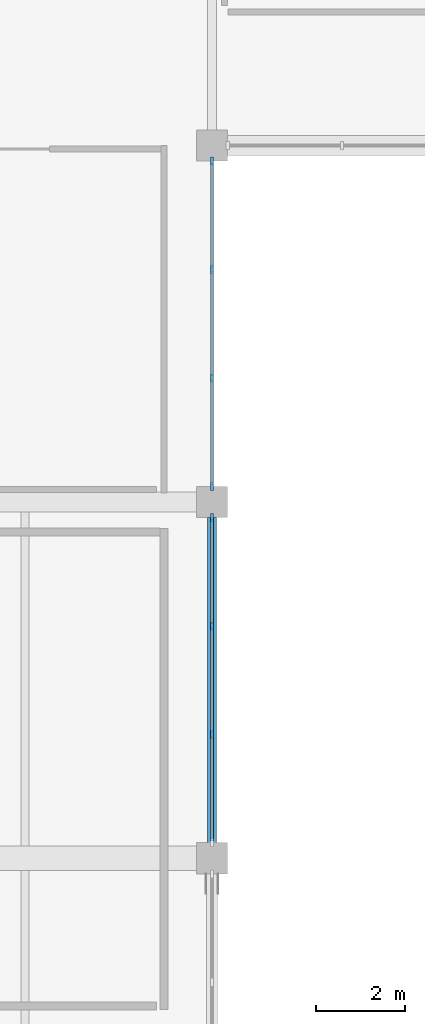
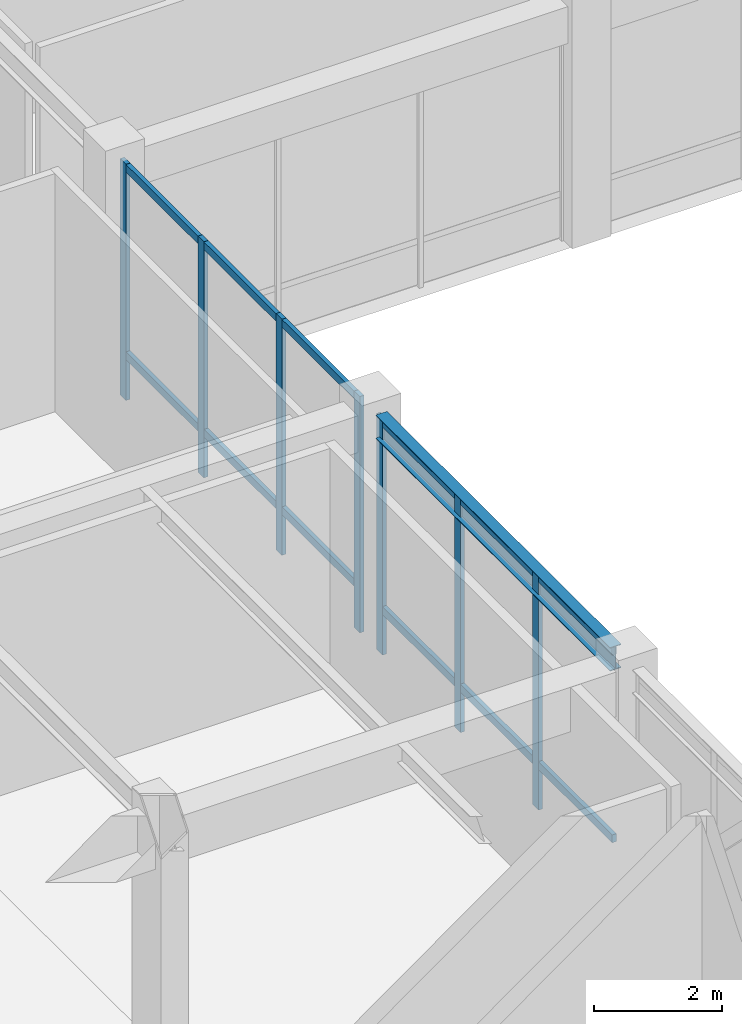
# One storey, part 21 of 76: 19 members, 1 beam, 2 elements without a shape of their own.
"""IFC4 building model written with IfcOpenShell, lengths in metres."""

from ifc_helpers import new_model, si_unit, direction, frame, origin, origin_2d, place, context, subcontext, project, spatial, rectangle, i_section, extrude, material, layer, layer_set, material_profile, profile_set, type_object, element, aggregate, save


model = new_model("IFC4")

# Units and contexts
model_context = context("Model", 3, precision=1e-05, world=origin(), true_north=direction((0.0, 1.0)))
body_context = subcontext(model_context, "Body", "Model", "MODEL_VIEW")
ifc_project = project(units=[si_unit("LENGTHUNIT", "METRE"), si_unit("AREAUNIT", "SQUARE_METRE"), si_unit("VOLUMEUNIT", "CUBIC_METRE"), si_unit("PLANEANGLEUNIT", "RADIAN"), si_unit("MASSUNIT", "GRAM", prefix="KILO")], contexts=[model_context])

# Site, building, storey
site_placement = place(None, origin())
site = spatial("IfcSite", under=ifc_project, at=site_placement, CompositionType="ELEMENT")
building_placement = place(site_placement, origin())
building = spatial("IfcBuilding", under=site, at=building_placement, Name="Naruveol Harbour Congress Hotel", CompositionType="ELEMENT")
storey_placement = place(building_placement, frame((0.0, 0.0, 11.39990234375)))
storey = spatial("IfcBuildingStorey", under=building, at=storey_placement, Name="L02", CompositionType="ELEMENT", Elevation=11.39990234375)

# Beam
ifc_material_1 = material(Name="Steel SN490", Category="steel")
ifc_material_profile_1 = material_profile(ifc_material_1, i_section(OverallWidth=0.199951171875, OverallDepth=0.449951171875, WebThickness=0.009033203125, FlangeThickness=0.013916015625, at=origin_2d()), Name="H-450x200x9x14")
ifc_profile_set_1 = profile_set([ifc_material_profile_1], Name="Steel SN490")
beam_type = type_object("IfcBeamType", Name="STEEL SPANDREL EDGE BEAM H450", PredefinedType="SPANDREL", material=ifc_profile_set_1)
beam_placement = place(storey_placement, frame((67.199951171875, 48.345947265625, 4.315185546875), z_axis=(0.0, 1.0, 0.0), x_axis=(-1.0, 0.0, 0.0)))
element("IfcBeam", 1, at=beam_placement, inside=storey, type_object=beam_type, Name="Transverse girder L03 SPB2", PredefinedType="SPANDREL", context=body_context, shape_type="SweptSolid", body=[
    extrude(i_section(OverallWidth=0.199951171875, OverallDepth=0.449951171875, WebThickness=0.009033203125, FlangeThickness=0.013916015625, at=origin_2d()), origin(), (0.0, 0.0, 1.0), 7.30810546875),
])

# Curtain wall, members
ifc_material_2 = material(Name="Low-E Curtain Wall System", Category="glass")
ifc_layer = layer(ifc_material_2, 0.179931640625)
ifc_layer_set = layer_set([ifc_layer], Name="Low-E Curtain Wall System")
curtain_wall_type = type_object("IfcCurtainWallType", Name="UNITISED CURTAIN WALL CW-CTW-43 7300X4500", PredefinedType="USERDEFINED", material=ifc_layer_set)
curtain_wall_1_placement = place(storey_placement, origin())
curtain_wall_1 = element("IfcCurtainWall", 2, at=curtain_wall_1_placement, inside=storey, type_object=curtain_wall_type, Name="Unitised curtain wall CW-CTW-43 L02", ObjectType="UNITISED GLAZING", PredefinedType="USERDEFINED")
ifc_material_3 = material(Name="Anodised Aluminium 6063-T6", Category="aluminium")
ifc_material_profile_2 = material_profile(ifc_material_3, rectangle(XDim=0.074951171875, YDim=0.179931640625, at=origin_2d()), Name="ALU-75x180")
ifc_profile_set_2 = profile_set([ifc_material_profile_2], Name="Anodised Aluminium 6063-T6")
member_type_1 = type_object("IfcMemberType", Name="THERMAL ALUMINIUM MULLION 75X180", PredefinedType="MULLION", material=ifc_profile_set_2)
member_1_placement = place(storey_placement, frame((67.199951171875, 50.783203125, 0.0), z_axis=(0.0, 0.0, 1.0), x_axis=(1.0, 0.0, 0.0)))
member_1 = element("IfcMember", 3, at=member_1_placement, type_object=member_type_1, Name="Curtain wall mullion CW-L02-0118-M1", PredefinedType="MULLION", context=body_context, shape_type="SweptSolid", body=[
    extrude(rectangle(XDim=0.074951171875, YDim=0.179931640625, at=origin_2d()), origin(), (0.0, 0.0, 1.0), 4.5),
])
member_2_placement = place(storey_placement, frame((67.199951171875, 53.216796875, 0.0), z_axis=(0.0, 0.0, 1.0), x_axis=(1.0, 0.0, 0.0)))
member_2 = element("IfcMember", 4, at=member_2_placement, type_object=member_type_1, Name="Curtain wall mullion CW-L02-0118-M2", PredefinedType="MULLION", context=body_context, shape_type="SweptSolid", body=[
    extrude(rectangle(XDim=0.074951171875, YDim=0.179931640625, at=origin_2d()), origin(), (0.0, 0.0, 1.0), 4.5),
])
member_3_placement = place(storey_placement, frame((67.199951171875, 55.64990234375, 0.0), z_axis=(0.0, 0.0, 1.0), x_axis=(1.0, 0.0, 0.0)))
member_3 = element("IfcMember", 5, at=member_3_placement, type_object=member_type_1, Name="Curtain wall mullion CW-L02-0118-M3", PredefinedType="MULLION", context=body_context, shape_type="SweptSolid", body=[
    extrude(rectangle(XDim=0.074951171875, YDim=0.179931640625, at=origin_2d()), origin(), (0.0, 0.0, 1.0), 4.5),
])

curtain_wall_2_placement = place(storey_placement, origin())
curtain_wall_2 = element("IfcCurtainWall", 6, at=curtain_wall_2_placement, inside=storey, type_object=curtain_wall_type, Name="Unitised curtain wall CW-CTW-43 L02", ObjectType="UNITISED GLAZING", PredefinedType="USERDEFINED")
member_4_placement = place(storey_placement, frame((67.199951171875, 56.35009765625, 0.0), z_axis=(0.0, 0.0, 1.0), x_axis=(1.0, 0.0, 0.0)))
member_4 = element("IfcMember", 7, at=member_4_placement, type_object=member_type_1, Name="Curtain wall mullion CW-L02-0120-M0", PredefinedType="MULLION", context=body_context, shape_type="SweptSolid", body=[
    extrude(rectangle(XDim=0.074951171875, YDim=0.179931640625, at=origin_2d()), origin(), (0.0, 0.0, 1.0), 4.5),
])
member_5_placement = place(storey_placement, frame((67.199951171875, 58.783203125, 0.0), z_axis=(0.0, 0.0, 1.0), x_axis=(1.0, 0.0, 0.0)))
member_5 = element("IfcMember", 8, at=member_5_placement, type_object=member_type_1, Name="Curtain wall mullion CW-L02-0120-M1", PredefinedType="MULLION", context=body_context, shape_type="SweptSolid", body=[
    extrude(rectangle(XDim=0.074951171875, YDim=0.179931640625, at=origin_2d()), origin(), (0.0, 0.0, 1.0), 4.5),
])
member_6_placement = place(storey_placement, frame((67.199951171875, 61.216796875, 0.0), z_axis=(0.0, 0.0, 1.0), x_axis=(1.0, 0.0, 0.0)))
member_6 = element("IfcMember", 9, at=member_6_placement, type_object=member_type_1, Name="Curtain wall mullion CW-L02-0120-M2", PredefinedType="MULLION", context=body_context, shape_type="SweptSolid", body=[
    extrude(rectangle(XDim=0.074951171875, YDim=0.179931640625, at=origin_2d()), origin(), (0.0, 0.0, 1.0), 4.5),
])
member_7_placement = place(storey_placement, frame((67.199951171875, 63.64990234375, 0.0), z_axis=(0.0, 0.0, 1.0), x_axis=(1.0, 0.0, 0.0)))
member_7 = element("IfcMember", 10, at=member_7_placement, type_object=member_type_1, Name="Curtain wall mullion CW-L02-0120-M3", PredefinedType="MULLION", context=body_context, shape_type="SweptSolid", body=[
    extrude(rectangle(XDim=0.074951171875, YDim=0.179931640625, at=origin_2d()), origin(), (0.0, 0.0, 1.0), 4.5),
])

# Member
ifc_material_4 = material(Name="Anodised Aluminium 6063-T6", Category="aluminium")
ifc_material_profile_3 = material_profile(ifc_material_4, rectangle(XDim=0.074951171875, YDim=0.14990234375, at=origin_2d()), Name="ALU-75x150")
ifc_profile_set_3 = profile_set([ifc_material_profile_3], Name="Anodised Aluminium 6063-T6")
member_type_2 = type_object("IfcMemberType", Name="THERMAL ALUMINIUM TRANSOM 75X150", PredefinedType="USERDEFINED", material=ifc_profile_set_3)
member_8_placement = place(storey_placement, frame((67.199951171875, 48.389892578125, 0.85009765625), z_axis=(0.0, 1.0, 0.0), x_axis=(-1.0, 0.0, 0.0)))
member_8 = element("IfcMember", 11, at=member_8_placement, type_object=member_type_2, Name="Curtain wall transom CW-L02-0118-T0.1", ObjectType="TRANSOM", PredefinedType="USERDEFINED", context=body_context, shape_type="SweptSolid", body=[
    extrude(rectangle(XDim=0.074951171875, YDim=0.14990234375, at=origin_2d()), origin(), (0.0, 0.0, 1.0), 2.353515625),
])

member_9_placement = place(storey_placement, frame((67.199951171875, 48.389892578125, 4.420166015625), z_axis=(0.0, 1.0, 0.0), x_axis=(-1.0, 0.0, 0.0)))
member_9 = element("IfcMember", 12, at=member_9_placement, type_object=member_type_2, Name="Curtain wall transom CW-L02-0118-T0.2", ObjectType="TRANSOM", PredefinedType="USERDEFINED", context=body_context, shape_type="SweptSolid", body=[
    extrude(rectangle(XDim=0.074951171875, YDim=0.14990234375, at=origin_2d()), origin(), (0.0, 0.0, 1.0), 2.353515625),
])

member_10_placement = place(storey_placement, frame((67.199951171875, 50.8232421875, 0.85009765625), z_axis=(0.0, 1.0, 0.0), x_axis=(-1.0, 0.0, 0.0)))
member_10 = element("IfcMember", 13, at=member_10_placement, type_object=member_type_2, Name="Curtain wall transom CW-L02-0118-T1.1", ObjectType="TRANSOM", PredefinedType="USERDEFINED", context=body_context, shape_type="SweptSolid", body=[
    extrude(rectangle(XDim=0.074951171875, YDim=0.14990234375, at=origin_2d()), origin(), (0.0, 0.0, 1.0), 2.353515625),
])

member_11_placement = place(storey_placement, frame((67.199951171875, 50.8232421875, 4.420166015625), z_axis=(0.0, 1.0, 0.0), x_axis=(-1.0, 0.0, 0.0)))
member_11 = element("IfcMember", 14, at=member_11_placement, type_object=member_type_2, Name="Curtain wall transom CW-L02-0118-T1.2", ObjectType="TRANSOM", PredefinedType="USERDEFINED", context=body_context, shape_type="SweptSolid", body=[
    extrude(rectangle(XDim=0.074951171875, YDim=0.14990234375, at=origin_2d()), origin(), (0.0, 0.0, 1.0), 2.353515625),
])

member_12_placement = place(storey_placement, frame((67.199951171875, 53.256591796875, 0.85009765625), z_axis=(0.0, 1.0, 0.0), x_axis=(-1.0, 0.0, 0.0)))
member_12 = element("IfcMember", 15, at=member_12_placement, type_object=member_type_2, Name="Curtain wall transom CW-L02-0118-T2.1", ObjectType="TRANSOM", PredefinedType="USERDEFINED", context=body_context, shape_type="SweptSolid", body=[
    extrude(rectangle(XDim=0.074951171875, YDim=0.14990234375, at=origin_2d()), origin(), (0.0, 0.0, 1.0), 2.353515625),
])

member_13_placement = place(storey_placement, frame((67.199951171875, 53.256591796875, 4.420166015625), z_axis=(0.0, 1.0, 0.0), x_axis=(-1.0, 0.0, 0.0)))
member_13 = element("IfcMember", 16, at=member_13_placement, type_object=member_type_2, Name="Curtain wall transom CW-L02-0118-T2.2", ObjectType="TRANSOM", PredefinedType="USERDEFINED", context=body_context, shape_type="SweptSolid", body=[
    extrude(rectangle(XDim=0.074951171875, YDim=0.14990234375, at=origin_2d()), origin(), (0.0, 0.0, 1.0), 2.353515625),
])

aggregate(curtain_wall_1, [member_1, member_2, member_3, member_8, member_9, member_10, member_11, member_12, member_13])

member_14_placement = place(storey_placement, frame((67.199951171875, 56.389892578125, 0.85009765625), z_axis=(0.0, 1.0, 0.0), x_axis=(-1.0, 0.0, 0.0)))
member_14 = element("IfcMember", 17, at=member_14_placement, type_object=member_type_2, Name="Curtain wall transom CW-L02-0120-T0.1", ObjectType="TRANSOM", PredefinedType="USERDEFINED", context=body_context, shape_type="SweptSolid", body=[
    extrude(rectangle(XDim=0.074951171875, YDim=0.14990234375, at=origin_2d()), origin(), (0.0, 0.0, 1.0), 2.353515625),
])

member_15_placement = place(storey_placement, frame((67.199951171875, 56.389892578125, 4.420166015625), z_axis=(0.0, 1.0, 0.0), x_axis=(-1.0, 0.0, 0.0)))
member_15 = element("IfcMember", 18, at=member_15_placement, type_object=member_type_2, Name="Curtain wall transom CW-L02-0120-T0.2", ObjectType="TRANSOM", PredefinedType="USERDEFINED", context=body_context, shape_type="SweptSolid", body=[
    extrude(rectangle(XDim=0.074951171875, YDim=0.14990234375, at=origin_2d()), origin(), (0.0, 0.0, 1.0), 2.353515625),
])

member_16_placement = place(storey_placement, frame((67.199951171875, 58.8232421875, 0.85009765625), z_axis=(0.0, 1.0, 0.0), x_axis=(-1.0, 0.0, 0.0)))
member_16 = element("IfcMember", 19, at=member_16_placement, type_object=member_type_2, Name="Curtain wall transom CW-L02-0120-T1.1", ObjectType="TRANSOM", PredefinedType="USERDEFINED", context=body_context, shape_type="SweptSolid", body=[
    extrude(rectangle(XDim=0.074951171875, YDim=0.14990234375, at=origin_2d()), origin(), (0.0, 0.0, 1.0), 2.353515625),
])

member_17_placement = place(storey_placement, frame((67.199951171875, 58.8232421875, 4.420166015625), z_axis=(0.0, 1.0, 0.0), x_axis=(-1.0, 0.0, 0.0)))
member_17 = element("IfcMember", 20, at=member_17_placement, type_object=member_type_2, Name="Curtain wall transom CW-L02-0120-T1.2", ObjectType="TRANSOM", PredefinedType="USERDEFINED", context=body_context, shape_type="SweptSolid", body=[
    extrude(rectangle(XDim=0.074951171875, YDim=0.14990234375, at=origin_2d()), origin(), (0.0, 0.0, 1.0), 2.353515625),
])

member_18_placement = place(storey_placement, frame((67.199951171875, 61.256591796875, 0.85009765625), z_axis=(0.0, 1.0, 0.0), x_axis=(-1.0, 0.0, 0.0)))
member_18 = element("IfcMember", 21, at=member_18_placement, type_object=member_type_2, Name="Curtain wall transom CW-L02-0120-T2.1", ObjectType="TRANSOM", PredefinedType="USERDEFINED", context=body_context, shape_type="SweptSolid", body=[
    extrude(rectangle(XDim=0.074951171875, YDim=0.14990234375, at=origin_2d()), origin(), (0.0, 0.0, 1.0), 2.353515625),
])

member_19_placement = place(storey_placement, frame((67.199951171875, 61.256591796875, 4.420166015625), z_axis=(0.0, 1.0, 0.0), x_axis=(-1.0, 0.0, 0.0)))
member_19 = element("IfcMember", 22, at=member_19_placement, type_object=member_type_2, Name="Curtain wall transom CW-L02-0120-T2.2", ObjectType="TRANSOM", PredefinedType="USERDEFINED", context=body_context, shape_type="SweptSolid", body=[
    extrude(rectangle(XDim=0.074951171875, YDim=0.14990234375, at=origin_2d()), origin(), (0.0, 0.0, 1.0), 2.353515625),
])

aggregate(curtain_wall_2, [member_4, member_5, member_6, member_7, member_14, member_15, member_16, member_17, member_18, member_19])

save(model, "model.ifc")
